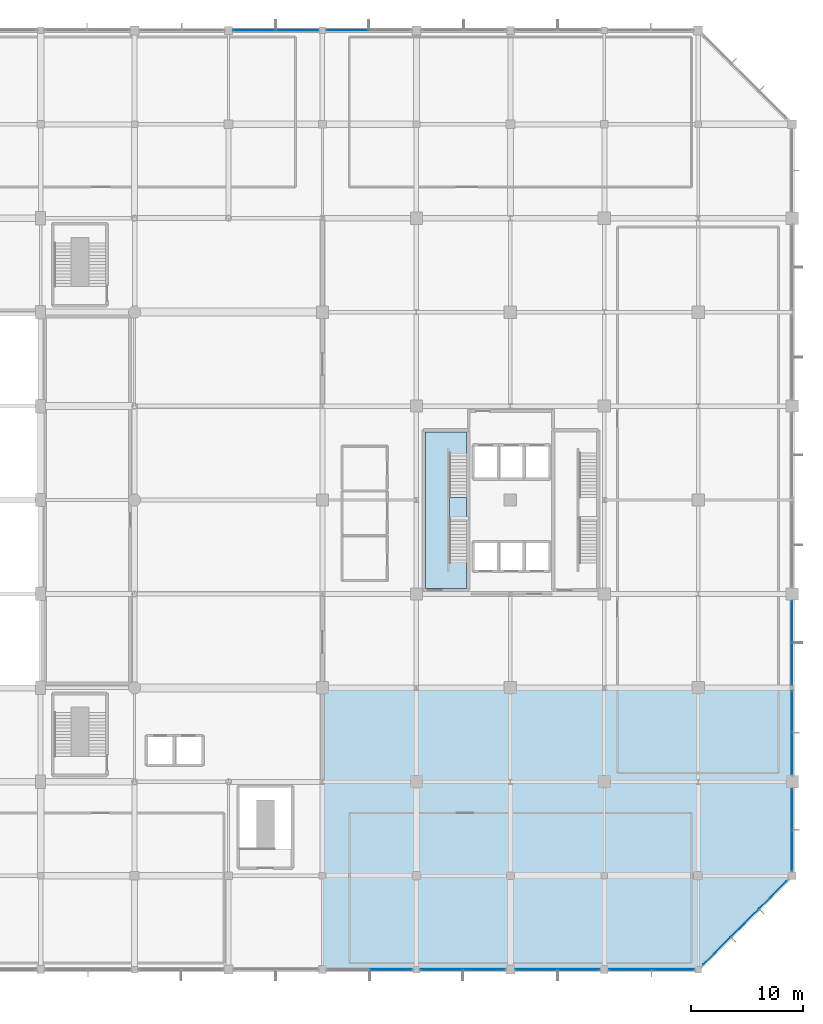
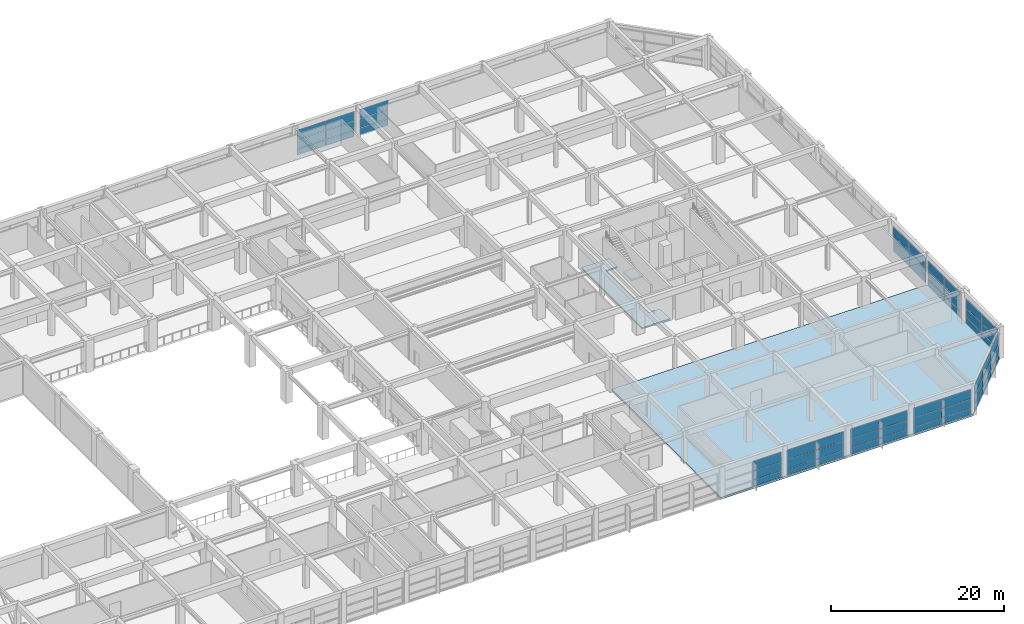
# One storey, part 39 of 56: 57 plates, 3 slabs, 11 elements without a shape of their own.
"""IFC4 building model written with IfcOpenShell, lengths in metres."""

import ifcopenshell
import ifcopenshell.guid

model = None  # the IFC model being written
_history = None  # IfcOwnerHistory: only IFC2X3 demands one
_inside = {}  # id of a spatial element -> (the spatial element, [elements in it])
_under = {}  # id of a project, library or spatial element -> (it, [spatial elements below it])
_declared = {}  # id of a project -> (the project, [libraries it declares])
_typed = {}  # id of a type object -> (the type object, [elements of that type])
_made_of = {}  # id of a material, layer set ... -> (it, [elements and type objects made of it])


def new_model(schema):
    """Start an empty IFC model of exactly this schema.

    Asked for "IFC4X3", IfcOpenShell would pick the latest addendum, in which some entities
    have other attributes; the version numbers below select the first issue.
    IFC2X3 requires an IfcOwnerHistory on every rooted entity: one is made here for all.
    """
    global model, _history
    if schema == "IFC4X3":
        model = ifcopenshell.file(schema_version=(4, 3, 0, 0))
    else:
        model = ifcopenshell.file(schema=schema)
    _inside.clear()
    _under.clear()
    _declared.clear()
    _typed.clear()
    _made_of.clear()
    _history = None
    if model.schema == "IFC2X3":
        org = make("IfcOrganization", Name="unknown")
        user = make(
            "IfcPersonAndOrganization",
            ThePerson=make("IfcPerson", FamilyName="unknown"),
            TheOrganization=org,
        )
        app = make(
            "IfcApplication",
            ApplicationDeveloper=org,
            Version="unknown",
            ApplicationFullName="unknown",
            ApplicationIdentifier="unknown",
        )
        _history = make(
            "IfcOwnerHistory",
            OwningUser=user,
            OwningApplication=app,
            ChangeAction="ADDED",
            CreationDate=0,
        )
    return model


def make(cls, **values):
    """One entity of the class cls with the attributes given. An attribute that is None is left unset."""
    return model.create_entity(
        cls, **{name: value for name, value in values.items() if value is not None}
    )


def rooted(cls, **values):
    """An entity with a GlobalId (a new one), such as an element, a storey or a relation."""
    return make(cls, GlobalId=ifcopenshell.guid.new(), OwnerHistory=_history, **values)


def si_unit(unit_type, name, prefix=None):
    """IfcSIUnit, for example si_unit("LENGTHUNIT", "METRE", prefix="MILLI")."""
    return make("IfcSIUnit", UnitType=unit_type, Prefix=prefix, Name=name)


def assignment(units):
    """IfcUnitAssignment: the units of a project."""
    return None if units is None else make("IfcUnitAssignment", Units=units)


def point(xyz):
    """IfcCartesianPoint."""
    return None if xyz is None else make("IfcCartesianPoint", Coordinates=xyz)


def direction(xyz):
    """IfcDirection."""
    return None if xyz is None else make("IfcDirection", DirectionRatios=xyz)


def frame(location, z_axis=None, x_axis=None):
    """IfcAxis2Placement3D, a coordinate frame: its origin and axes. An axis left out is left unset."""
    return make(
        "IfcAxis2Placement3D",
        Location=point(location),
        Axis=direction(z_axis),
        RefDirection=direction(x_axis),
    )


def frame_2d(location, x_axis=None):
    """IfcAxis2Placement2D, a coordinate frame in the plane: its origin and x axis."""
    return make(
        "IfcAxis2Placement2D", Location=point(location), RefDirection=direction(x_axis)
    )


def origin():
    """The frame at (0, 0, 0) with its axes left unset."""
    return frame((0.0, 0.0, 0.0))


def origin_2d():
    """The frame at (0, 0) in the plane with its x axis left unset."""
    return frame_2d((0.0, 0.0))


def place(relative_to, where):
    """IfcLocalPlacement: puts the frame where relative to a parent placement (None: the world)."""
    return make(
        "IfcLocalPlacement", PlacementRelTo=relative_to, RelativePlacement=where
    )


def context(
    kind, dimensions, precision=None, world=None, true_north=None, identifier=None
):
    """IfcGeometricRepresentationContext, for example the 3D "Model" context."""
    return make(
        "IfcGeometricRepresentationContext",
        ContextIdentifier=identifier,
        ContextType=kind,
        CoordinateSpaceDimension=dimensions,
        Precision=precision,
        WorldCoordinateSystem=world,
        TrueNorth=true_north,
    )


def subcontext(parent, identifier, kind, view, scale=None):
    """IfcGeometricRepresentationSubContext, for example "Body" below "Model"."""
    return make(
        "IfcGeometricRepresentationSubContext",
        ContextIdentifier=identifier,
        ContextType=kind,
        ParentContext=parent,
        TargetScale=scale,
        TargetView=view,
    )


def project(units=None, contexts=None):
    """IfcProject with its units and contexts."""
    return rooted(
        "IfcProject",
        Name="project",
        RepresentationContexts=contexts,
        UnitsInContext=assignment(units),
    )


def spatial(cls, under=None, at=None, **own):
    """A site, building, storey or space (cls), placed at a placement, below another one or the project."""
    s = rooted(cls, ObjectPlacement=at, **own)
    if under is not None:
        _under.setdefault(under.id(), (under, []))[1].append(s)
    return s


def polyline(points):
    """IfcPolyline through the points."""
    return make("IfcPolyline", Points=[point(p) for p in points])


def profile(cls, at=None, kind="AREA", **sizes):
    """A parametric profile (cls). Its sizes go by their IFC names, for example OverallWidth=200.0."""
    return make(cls, ProfileType=kind, Position=at, **sizes)


def rectangle(**sizes):
    """IfcRectangleProfileDef."""
    return profile("IfcRectangleProfileDef", **sizes)


def outline(outer, holes=None, kind="AREA"):
    """IfcArbitraryClosedProfileDef: a profile drawn as a closed curve; with holes, ...WithVoids."""
    if holes is None:
        return make("IfcArbitraryClosedProfileDef", ProfileType=kind, OuterCurve=outer)
    return make(
        "IfcArbitraryProfileDefWithVoids",
        ProfileType=kind,
        OuterCurve=outer,
        InnerCurves=holes,
    )


def extrude(swept, where, along, depth):
    """IfcExtrudedAreaSolid: the profile swept, set in the frame where, extruded along a direction by depth."""
    return make(
        "IfcExtrudedAreaSolid",
        SweptArea=swept,
        Position=where,
        ExtrudedDirection=direction(along),
        Depth=depth,
    )


def shape(context_of_items, identifier, shape_type, items):
    """IfcShapeRepresentation: the items that make up one representation, for example the "Body"."""
    return make(
        "IfcShapeRepresentation",
        ContextOfItems=context_of_items,
        RepresentationIdentifier=identifier,
        RepresentationType=shape_type,
        Items=items,
    )


def material(Name=None, Category=None):
    """IfcMaterial."""
    return make("IfcMaterial", Name=Name, Category=Category)


def layer(
    of_material, thickness, ventilated=None, Name=None, Category=None, Priority=None
):
    """IfcMaterialLayer: one layer of a wall or slab, of a material (None: an air gap)."""
    return make(
        "IfcMaterialLayer",
        Material=of_material,
        LayerThickness=thickness,
        IsVentilated=ventilated,
        Name=Name,
        Category=Category,
        Priority=Priority,
    )


def layer_set(layers, Name=None):
    """IfcMaterialLayerSet."""
    return make("IfcMaterialLayerSet", MaterialLayers=layers, LayerSetName=Name)


def made_of(thing, what):
    """Note that an element or type object is made of a material, layer set ...; save() writes the relation."""
    if what is not None:
        _made_of.setdefault(what.id(), (what, []))[1].append(thing)
    return thing


def type_object(cls, material=None, **own):
    """A type object (cls), such as IfcWallType, which elements share."""
    return made_of(rooted(cls, **own), material)


def element(
    cls,
    number,
    at=None,
    inside=None,
    cuts=None,
    type_object=None,
    material=None,
    context=None,
    identifier="Body",
    shape_type=None,
    held_by="IfcProductDefinitionShape",
    body=None,
    shapes=None,
    **own,
):
    """One element of the class cls, such as IfcWall. Its Tag is "e" and its number.

    at: its placement. inside: the storey or other place that contains it. cuts: it is an
    opening in that element (IfcRelVoidsElement). A single representation is given by context,
    identifier, shape_type and body (its items); several are given by shapes. held_by: the class
    of the entity that holds the representations. save() writes the other relations.
    """
    e = rooted(cls, Tag="e%d" % number, ObjectPlacement=at, **own)
    if body is not None:
        shapes = [shape(context, identifier, shape_type, body)]
    if shapes is not None:
        e.Representation = make(held_by, Representations=shapes)
    if inside is not None:
        _inside.setdefault(inside.id(), (inside, []))[1].append(e)
    if cuts is not None:
        rooted(
            "IfcRelVoidsElement", RelatingBuildingElement=cuts, RelatedOpeningElement=e
        )
    if type_object is not None:
        _typed.setdefault(type_object.id(), (type_object, []))[1].append(e)
    return made_of(e, material)


def aggregate(whole, parts):
    """IfcRelAggregates: a whole, such as a stair, and the parts it consists of."""
    return rooted("IfcRelAggregates", RelatingObject=whole, RelatedObjects=parts)


def save(model, path):
    """Write the relations noted so far, then the file.

    IfcRelAggregates (storeys below a building ...), IfcRelContainedInSpatialStructure (elements
    in a storey), IfcRelDefinesByType, IfcRelAssociatesMaterial and IfcRelDeclares: one each for
    every whole, place, type object, material and project.
    """
    for whole, parts in _under.values():
        aggregate(whole, parts)
    for where, things in _inside.values():
        rooted(
            "IfcRelContainedInSpatialStructure",
            RelatedElements=things,
            RelatingStructure=where,
        )
    for kind, things in _typed.values():
        rooted("IfcRelDefinesByType", RelatedObjects=things, RelatingType=kind)
    for what, things in _made_of.values():
        rooted("IfcRelAssociatesMaterial", RelatedObjects=things, RelatingMaterial=what)
    for by, libraries in _declared.values():
        rooted("IfcRelDeclares", RelatingContext=by, RelatedDefinitions=libraries)
    model.write(path)


model = new_model("IFC4")

# Units and contexts
model_context = context("Model", 3, precision=1e-05, world=origin(), true_north=direction((0.0, 1.0)))
body_context = subcontext(model_context, "Body", "Model", "MODEL_VIEW")
ifc_project = project(units=[si_unit("LENGTHUNIT", "METRE"), si_unit("AREAUNIT", "SQUARE_METRE"), si_unit("VOLUMEUNIT", "CUBIC_METRE"), si_unit("PLANEANGLEUNIT", "RADIAN"), si_unit("MASSUNIT", "GRAM", prefix="KILO")], contexts=[model_context])

# Site, building, storey
site_placement = place(None, origin())
site = spatial("IfcSite", under=ifc_project, at=site_placement, CompositionType="ELEMENT")
building_placement = place(site_placement, origin())
building = spatial("IfcBuilding", under=site, at=building_placement, Name="Xuanlan Plaza Opera House", CompositionType="ELEMENT")
storey_placement = place(building_placement, frame((0.0, 0.0, 18.89990234375)))
storey = spatial("IfcBuildingStorey", under=building, at=storey_placement, Name="L04", CompositionType="ELEMENT", Elevation=18.89990234375)

# Curtain wall, plates
ifc_material_1 = material(Name="Anodised Aluminium 6063-T6 and Low-E Glass", Category="aluminium")
curtain_wall_type_1 = type_object("IfcCurtainWallType", Name="ENV-CW-CW-01", PredefinedType="USERDEFINED", material=ifc_material_1)
curtain_wall_1_placement = place(storey_placement, origin())
curtain_wall_1 = element("IfcCurtainWall", 1, at=curtain_wall_1_placement, inside=storey, type_object=curtain_wall_type_1, Name="Unitised Curtain Wall L04-015", ObjectType="UNITISED CURTAIN WALL", PredefinedType="USERDEFINED")
ifc_material_2 = material(Name="Laminated Acoustic Double Glazing", Category="glass")
ifc_layer_1 = layer(ifc_material_2, 0.028076171875)
ifc_layer_set_1 = layer_set([ifc_layer_1], Name="Laminated Acoustic Double Glazing")
plate_type_1 = type_object("IfcPlateType", Name="ENV-CWP-01", PredefinedType="CURTAIN_PANEL", material=ifc_layer_set_1)
plate_1_placement = place(storey_placement, frame((145.138671875, 16.800048828125, 0.065185546875), z_axis=(0.0, 0.0, 1.0), x_axis=(1.0, 0.0, 0.0)))
plate_1 = element("IfcPlate", 2, at=plate_1_placement, type_object=plate_type_1, Name="CW-01 panel 1.1", PredefinedType="CURTAIN_PANEL", context=body_context, shape_type="SweptSolid", body=[
    extrude(rectangle(XDim=3.70751953125, YDim=0.028076171875, at=origin_2d()), origin(), (0.0, 0.0, 1.0), 0.8525390625),
])
plate_2_placement = place(storey_placement, frame((145.138671875, 16.800048828125, 0.982421875), z_axis=(0.0, 0.0, 1.0), x_axis=(1.0, 0.0, 0.0)))
plate_2 = element("IfcPlate", 3, at=plate_2_placement, type_object=plate_type_1, Name="CW-01 panel 1.2", PredefinedType="CURTAIN_PANEL", context=body_context, shape_type="SweptSolid", body=[
    extrude(rectangle(XDim=3.70751953125, YDim=0.028076171875, at=origin_2d()), origin(), (0.0, 0.0, 1.0), 1.235107421875),
])
plate_3_placement = place(storey_placement, frame((145.138671875, 16.800048828125, 2.282470703125), z_axis=(0.0, 0.0, 1.0), x_axis=(1.0, 0.0, 0.0)))
plate_3 = element("IfcPlate", 4, at=plate_3_placement, type_object=plate_type_1, Name="CW-01 panel 1.3", PredefinedType="CURTAIN_PANEL", context=body_context, shape_type="SweptSolid", body=[
    extrude(rectangle(XDim=3.70751953125, YDim=0.028076171875, at=origin_2d()), origin(), (0.0, 0.0, 1.0), 1.33251953125),
])
plate_4_placement = place(storey_placement, frame((148.9111328125, 16.800048828125, 0.065185546875), z_axis=(0.0, 0.0, 1.0), x_axis=(1.0, 0.0, 0.0)))
plate_4 = element("IfcPlate", 5, at=plate_4_placement, type_object=plate_type_1, Name="CW-01 panel 2.1", PredefinedType="CURTAIN_PANEL", context=body_context, shape_type="SweptSolid", body=[
    extrude(rectangle(XDim=3.70751953125, YDim=0.028076171875, at=origin_2d()), origin(), (0.0, 0.0, 1.0), 0.8525390625),
])
plate_5_placement = place(storey_placement, frame((148.9111328125, 16.800048828125, 0.982421875), z_axis=(0.0, 0.0, 1.0), x_axis=(1.0, 0.0, 0.0)))
plate_5 = element("IfcPlate", 6, at=plate_5_placement, type_object=plate_type_1, Name="CW-01 panel 2.2", PredefinedType="CURTAIN_PANEL", context=body_context, shape_type="SweptSolid", body=[
    extrude(rectangle(XDim=3.70751953125, YDim=0.028076171875, at=origin_2d()), origin(), (0.0, 0.0, 1.0), 1.235107421875),
])
plate_6_placement = place(storey_placement, frame((148.9111328125, 16.800048828125, 2.282470703125), z_axis=(0.0, 0.0, 1.0), x_axis=(1.0, 0.0, 0.0)))
plate_6 = element("IfcPlate", 7, at=plate_6_placement, type_object=plate_type_1, Name="CW-01 panel 2.3", PredefinedType="CURTAIN_PANEL", context=body_context, shape_type="SweptSolid", body=[
    extrude(rectangle(XDim=3.70751953125, YDim=0.028076171875, at=origin_2d()), origin(), (0.0, 0.0, 1.0), 1.33251953125),
])
aggregate(curtain_wall_1, [plate_1, plate_2, plate_3, plate_4, plate_5, plate_6])

curtain_wall_type_2 = type_object("IfcCurtainWallType", Name="ENV-CW-CW-02", PredefinedType="USERDEFINED", material=ifc_material_1)
curtain_wall_2_placement = place(storey_placement, origin())
curtain_wall_2 = element("IfcCurtainWall", 8, at=curtain_wall_2_placement, inside=storey, type_object=curtain_wall_type_2, Name="Unitised Curtain Wall L04-020", ObjectType="UNITISED CURTAIN WALL", PredefinedType="USERDEFINED")
plate_7_placement = place(storey_placement, frame((168.0, 44.138671875, 0.065185546875), z_axis=(0.0, 0.0, 1.0), x_axis=(0.0, 1.0, 0.0)))
plate_7 = element("IfcPlate", 9, at=plate_7_placement, type_object=plate_type_1, Name="CW-02 panel 1.1", PredefinedType="CURTAIN_PANEL", context=body_context, shape_type="SweptSolid", body=[
    extrude(rectangle(XDim=3.70751953125, YDim=0.028076171875, at=origin_2d()), origin(), (0.0, 0.0, 1.0), 0.8525390625),
])
plate_8_placement = place(storey_placement, frame((168.0, 44.138671875, 0.982421875), z_axis=(0.0, 0.0, 1.0), x_axis=(0.0, 1.0, 0.0)))
plate_8 = element("IfcPlate", 10, at=plate_8_placement, type_object=plate_type_1, Name="CW-02 panel 1.2", PredefinedType="CURTAIN_PANEL", context=body_context, shape_type="SweptSolid", body=[
    extrude(rectangle(XDim=3.70751953125, YDim=0.028076171875, at=origin_2d()), origin(), (0.0, 0.0, 1.0), 1.235107421875),
])
plate_9_placement = place(storey_placement, frame((168.0, 44.138671875, 2.282470703125), z_axis=(0.0, 0.0, 1.0), x_axis=(0.0, 1.0, 0.0)))
plate_9 = element("IfcPlate", 11, at=plate_9_placement, type_object=plate_type_1, Name="CW-02 panel 1.3", PredefinedType="CURTAIN_PANEL", context=body_context, shape_type="SweptSolid", body=[
    extrude(rectangle(XDim=3.70751953125, YDim=0.028076171875, at=origin_2d()), origin(), (0.0, 0.0, 1.0), 1.33251953125),
])
plate_10_placement = place(storey_placement, frame((168.0, 47.9111328125, 0.065185546875), z_axis=(0.0, 0.0, 1.0), x_axis=(0.0, 1.0, 0.0)))
plate_10 = element("IfcPlate", 12, at=plate_10_placement, type_object=plate_type_1, Name="CW-02 panel 2.1", PredefinedType="CURTAIN_PANEL", context=body_context, shape_type="SweptSolid", body=[
    extrude(rectangle(XDim=3.70751953125, YDim=0.028076171875, at=origin_2d()), origin(), (0.0, 0.0, 1.0), 0.8525390625),
])
plate_11_placement = place(storey_placement, frame((168.0, 47.9111328125, 0.982421875), z_axis=(0.0, 0.0, 1.0), x_axis=(0.0, 1.0, 0.0)))
plate_11 = element("IfcPlate", 13, at=plate_11_placement, type_object=plate_type_1, Name="CW-02 panel 2.2", PredefinedType="CURTAIN_PANEL", context=body_context, shape_type="SweptSolid", body=[
    extrude(rectangle(XDim=3.70751953125, YDim=0.028076171875, at=origin_2d()), origin(), (0.0, 0.0, 1.0), 1.235107421875),
])
plate_12_placement = place(storey_placement, frame((168.0, 47.9111328125, 2.282470703125), z_axis=(0.0, 0.0, 1.0), x_axis=(0.0, 1.0, 0.0)))
plate_12 = element("IfcPlate", 14, at=plate_12_placement, type_object=plate_type_1, Name="CW-02 panel 2.3", PredefinedType="CURTAIN_PANEL", context=body_context, shape_type="SweptSolid", body=[
    extrude(rectangle(XDim=3.70751953125, YDim=0.028076171875, at=origin_2d()), origin(), (0.0, 0.0, 1.0), 1.33251953125),
])
aggregate(curtain_wall_2, [plate_7, plate_8, plate_9, plate_10, plate_11, plate_12])

curtain_wall_type_3 = type_object("IfcCurtainWallType", Name="ENV-CW-CW-05", PredefinedType="USERDEFINED", material=ifc_material_1)
curtain_wall_3_placement = place(storey_placement, origin())
curtain_wall_3 = element("IfcCurtainWall", 15, at=curtain_wall_3_placement, inside=storey, type_object=curtain_wall_type_3, Name="Acoustic Glazed Wall L04-030", ObjectType="ACOUSTIC GLAZED WALL", PredefinedType="USERDEFINED")
plate_13_placement = place(storey_placement, frame((128.251220703125, 100.800048828125, 0.065185546875), z_axis=(0.0, 0.0, 1.0), x_axis=(-1.0, 0.0, 0.0)))
plate_13 = element("IfcPlate", 16, at=plate_13_placement, type_object=plate_type_1, Name="CW-05 panel 2.1", PredefinedType="CURTAIN_PANEL", context=body_context, shape_type="SweptSolid", body=[
    extrude(rectangle(XDim=3.732421875, YDim=0.028076171875, at=origin_2d()), origin(), (0.0, 0.0, 1.0), 0.8525390625),
])
plate_14_placement = place(storey_placement, frame((128.251220703125, 100.800048828125, 0.982421875), z_axis=(0.0, 0.0, 1.0), x_axis=(-1.0, 0.0, 0.0)))
plate_14 = element("IfcPlate", 17, at=plate_14_placement, type_object=plate_type_1, Name="CW-05 panel 2.2", PredefinedType="CURTAIN_PANEL", context=body_context, shape_type="SweptSolid", body=[
    extrude(rectangle(XDim=3.732421875, YDim=0.028076171875, at=origin_2d()), origin(), (0.0, 0.0, 1.0), 1.235107421875),
])
plate_15_placement = place(storey_placement, frame((128.251220703125, 100.800048828125, 2.282470703125), z_axis=(0.0, 0.0, 1.0), x_axis=(-1.0, 0.0, 0.0)))
plate_15 = element("IfcPlate", 18, at=plate_15_placement, type_object=plate_type_1, Name="CW-05 panel 2.3", PredefinedType="CURTAIN_PANEL", context=body_context, shape_type="SweptSolid", body=[
    extrude(rectangle(XDim=3.732421875, YDim=0.028076171875, at=origin_2d()), origin(), (0.0, 0.0, 1.0), 1.33251953125),
])
aggregate(curtain_wall_3, [plate_13, plate_14, plate_15])

curtain_wall_type_4 = type_object("IfcCurtainWallType", Name="ENV-CW-CW-03", PredefinedType="USERDEFINED", material=ifc_material_1)
curtain_wall_4_placement = place(storey_placement, origin())
curtain_wall_4 = element("IfcCurtainWall", 19, at=curtain_wall_4_placement, inside=storey, type_object=curtain_wall_type_4, Name="Unitised Curtain Wall L04-017", ObjectType="UNITISED CURTAIN WALL", PredefinedType="USERDEFINED")
ifc_layer_2 = layer(ifc_material_2, 0.031982421875)
ifc_layer_set_2 = layer_set([ifc_layer_2], Name="Laminated Acoustic Double Glazing")
plate_type_2 = type_object("IfcPlateType", Name="ENV-CWP-02", PredefinedType="CURTAIN_PANEL", material=ifc_layer_set_2)
plate_16_placement = place(storey_placement, frame((161.27099609375, 18.470947265625, 0.090087890625), z_axis=(0.0, 0.0, 1.0), x_axis=(0.707106781187, 0.707106781187, 0.0)))
plate_16 = element("IfcPlate", 20, at=plate_16_placement, type_object=plate_type_2, Name="CW-03 panel 1.1", PredefinedType="CURTAIN_PANEL", context=body_context, shape_type="SweptSolid", body=[
    extrude(rectangle(XDim=3.447509765625, YDim=0.031982421875, at=origin_2d()), origin(), (0.0, 0.0, 1.0), 0.81494140625),
])
plate_17_placement = place(storey_placement, frame((161.27099609375, 18.470947265625, 0.9951171875), z_axis=(0.0, 0.0, 1.0), x_axis=(0.707106781187, 0.707106781187, 0.0)))
plate_17 = element("IfcPlate", 21, at=plate_17_placement, type_object=plate_type_2, Name="CW-03 panel 1.2", PredefinedType="CURTAIN_PANEL", context=body_context, shape_type="SweptSolid", body=[
    extrude(rectangle(XDim=3.447509765625, YDim=0.031982421875, at=origin_2d()), origin(), (0.0, 0.0, 1.0), 1.2099609375),
])
plate_18_placement = place(storey_placement, frame((161.27099609375, 18.470947265625, 2.295166015625), z_axis=(0.0, 0.0, 1.0), x_axis=(0.707106781187, 0.707106781187, 0.0)))
plate_18 = element("IfcPlate", 22, at=plate_18_placement, type_object=plate_type_2, Name="CW-03 panel 1.3", PredefinedType="CURTAIN_PANEL", context=body_context, shape_type="SweptSolid", body=[
    extrude(rectangle(XDim=3.447509765625, YDim=0.031982421875, at=origin_2d()), origin(), (0.0, 0.0, 1.0), 1.294921875),
])
plate_19_placement = place(storey_placement, frame((163.77490234375, 20.97509765625, 0.090087890625), z_axis=(0.0, 0.0, 1.0), x_axis=(0.707106781187, 0.707106781187, 0.0)))
plate_19 = element("IfcPlate", 23, at=plate_19_placement, type_object=plate_type_2, Name="CW-03 panel 2.1", PredefinedType="CURTAIN_PANEL", context=body_context, shape_type="SweptSolid", body=[
    extrude(rectangle(XDim=3.485107421875, YDim=0.031982421875, at=origin_2d()), origin(), (0.0, 0.0, 1.0), 0.81494140625),
])
plate_20_placement = place(storey_placement, frame((163.77490234375, 20.97509765625, 0.9951171875), z_axis=(0.0, 0.0, 1.0), x_axis=(0.707106781187, 0.707106781187, 0.0)))
plate_20 = element("IfcPlate", 24, at=plate_20_placement, type_object=plate_type_2, Name="CW-03 panel 2.2", PredefinedType="CURTAIN_PANEL", context=body_context, shape_type="SweptSolid", body=[
    extrude(rectangle(XDim=3.485107421875, YDim=0.031982421875, at=origin_2d()), origin(), (0.0, 0.0, 1.0), 1.2099609375),
])
plate_21_placement = place(storey_placement, frame((163.77490234375, 20.97509765625, 2.295166015625), z_axis=(0.0, 0.0, 1.0), x_axis=(0.707106781187, 0.707106781187, 0.0)))
plate_21 = element("IfcPlate", 25, at=plate_21_placement, type_object=plate_type_2, Name="CW-03 panel 2.3", PredefinedType="CURTAIN_PANEL", context=body_context, shape_type="SweptSolid", body=[
    extrude(rectangle(XDim=3.485107421875, YDim=0.031982421875, at=origin_2d()), origin(), (0.0, 0.0, 1.0), 1.294921875),
])
plate_22_placement = place(storey_placement, frame((166.279052734375, 23.47900390625, 0.090087890625), z_axis=(0.0, 0.0, 1.0), x_axis=(0.707106781187, 0.707106781187, 0.0)))
plate_22 = element("IfcPlate", 26, at=plate_22_placement, type_object=plate_type_2, Name="CW-03 panel 3.1", PredefinedType="CURTAIN_PANEL", context=body_context, shape_type="SweptSolid", body=[
    extrude(rectangle(XDim=3.447509765625, YDim=0.031982421875, at=origin_2d()), origin(), (0.0, 0.0, 1.0), 0.81494140625),
])
plate_23_placement = place(storey_placement, frame((166.279052734375, 23.47900390625, 0.9951171875), z_axis=(0.0, 0.0, 1.0), x_axis=(0.707106781187, 0.707106781187, 0.0)))
plate_23 = element("IfcPlate", 27, at=plate_23_placement, type_object=plate_type_2, Name="CW-03 panel 3.2", PredefinedType="CURTAIN_PANEL", context=body_context, shape_type="SweptSolid", body=[
    extrude(rectangle(XDim=3.447509765625, YDim=0.031982421875, at=origin_2d()), origin(), (0.0, 0.0, 1.0), 1.2099609375),
])
plate_24_placement = place(storey_placement, frame((166.279052734375, 23.47900390625, 2.295166015625), z_axis=(0.0, 0.0, 1.0), x_axis=(0.707106781187, 0.707106781187, 0.0)))
plate_24 = element("IfcPlate", 28, at=plate_24_placement, type_object=plate_type_2, Name="CW-03 panel 3.3", PredefinedType="CURTAIN_PANEL", context=body_context, shape_type="SweptSolid", body=[
    extrude(rectangle(XDim=3.447509765625, YDim=0.031982421875, at=origin_2d()), origin(), (0.0, 0.0, 1.0), 1.294921875),
])
aggregate(curtain_wall_4, [plate_16, plate_17, plate_18, plate_19, plate_20, plate_21, plate_22, plate_23, plate_24])

curtain_wall_type_5 = type_object("IfcCurtainWallType", Name="ENV-CW-CW-04", PredefinedType="USERDEFINED", material=ifc_material_1)
curtain_wall_5_placement = place(storey_placement, origin())
curtain_wall_5 = element("IfcCurtainWall", 29, at=curtain_wall_5_placement, inside=storey, type_object=curtain_wall_type_5, Name="Unitised Curtain Wall L04-014", ObjectType="UNITISED CURTAIN WALL", PredefinedType="USERDEFINED")
ifc_layer_3 = layer(ifc_material_2, 0.035888671875)
ifc_layer_set_3 = layer_set([ifc_layer_3], Name="Laminated Acoustic Double Glazing")
plate_type_3 = type_object("IfcPlateType", Name="ENV-CWP-03", PredefinedType="CURTAIN_PANEL", material=ifc_layer_set_3)
plate_25_placement = place(storey_placement, frame((136.657470703125, 16.800048828125, 0.080078125), z_axis=(0.0, 0.0, 1.0), x_axis=(1.0, 0.0, 0.0)))
plate_25 = element("IfcPlate", 30, at=plate_25_placement, type_object=plate_type_3, Name="CW-04 panel 1.1", PredefinedType="CURTAIN_PANEL", context=body_context, shape_type="SweptSolid", body=[
    extrude(rectangle(XDim=3.695068359375, YDim=0.035888671875, at=origin_2d()), origin(), (0.0, 0.0, 1.0), 0.830078125),
])
plate_26_placement = place(storey_placement, frame((136.657470703125, 16.800048828125, 0.990234375), z_axis=(0.0, 0.0, 1.0), x_axis=(1.0, 0.0, 0.0)))
plate_26 = element("IfcPlate", 31, at=plate_26_placement, type_object=plate_type_3, Name="CW-04 panel 1.2", PredefinedType="CURTAIN_PANEL", context=body_context, shape_type="SweptSolid", body=[
    extrude(rectangle(XDim=3.695068359375, YDim=0.035888671875, at=origin_2d()), origin(), (0.0, 0.0, 1.0), 1.219970703125),
])
plate_27_placement = place(storey_placement, frame((136.657470703125, 16.800048828125, 2.2900390625), z_axis=(0.0, 0.0, 1.0), x_axis=(1.0, 0.0, 0.0)))
plate_27 = element("IfcPlate", 32, at=plate_27_placement, type_object=plate_type_3, Name="CW-04 panel 1.3", PredefinedType="CURTAIN_PANEL", context=body_context, shape_type="SweptSolid", body=[
    extrude(rectangle(XDim=3.695068359375, YDim=0.035888671875, at=origin_2d()), origin(), (0.0, 0.0, 1.0), 1.31005859375),
])
plate_28_placement = place(storey_placement, frame((140.4423828125, 16.800048828125, 0.080078125), z_axis=(0.0, 0.0, 1.0), x_axis=(1.0, 0.0, 0.0)))
plate_28 = element("IfcPlate", 33, at=plate_28_placement, type_object=plate_type_3, Name="CW-04 panel 2.1", PredefinedType="CURTAIN_PANEL", context=body_context, shape_type="SweptSolid", body=[
    extrude(rectangle(XDim=3.695068359375, YDim=0.035888671875, at=origin_2d()), origin(), (0.0, 0.0, 1.0), 0.830078125),
])
plate_29_placement = place(storey_placement, frame((140.4423828125, 16.800048828125, 0.990234375), z_axis=(0.0, 0.0, 1.0), x_axis=(1.0, 0.0, 0.0)))
plate_29 = element("IfcPlate", 34, at=plate_29_placement, type_object=plate_type_3, Name="CW-04 panel 2.2", PredefinedType="CURTAIN_PANEL", context=body_context, shape_type="SweptSolid", body=[
    extrude(rectangle(XDim=3.695068359375, YDim=0.035888671875, at=origin_2d()), origin(), (0.0, 0.0, 1.0), 1.219970703125),
])
plate_30_placement = place(storey_placement, frame((140.4423828125, 16.800048828125, 2.2900390625), z_axis=(0.0, 0.0, 1.0), x_axis=(1.0, 0.0, 0.0)))
plate_30 = element("IfcPlate", 35, at=plate_30_placement, type_object=plate_type_3, Name="CW-04 panel 2.3", PredefinedType="CURTAIN_PANEL", context=body_context, shape_type="SweptSolid", body=[
    extrude(rectangle(XDim=3.695068359375, YDim=0.035888671875, at=origin_2d()), origin(), (0.0, 0.0, 1.0), 1.31005859375),
])
aggregate(curtain_wall_5, [plate_25, plate_26, plate_27, plate_28, plate_29, plate_30])

curtain_wall_6_placement = place(storey_placement, origin())
curtain_wall_6 = element("IfcCurtainWall", 36, at=curtain_wall_6_placement, inside=storey, type_object=curtain_wall_type_1, Name="Unitised Curtain Wall L04-019", ObjectType="UNITISED CURTAIN WALL", PredefinedType="USERDEFINED")
plate_31_placement = place(storey_placement, frame((168.0, 36.094970703125, 0.080078125), z_axis=(0.0, 0.0, 1.0), x_axis=(0.0, 1.0, 0.0)))
plate_31 = element("IfcPlate", 37, at=plate_31_placement, type_object=plate_type_3, Name="CW-01 panel 1.1", PredefinedType="CURTAIN_PANEL", context=body_context, shape_type="SweptSolid", body=[
    extrude(rectangle(XDim=3.669921875, YDim=0.035888671875, at=origin_2d()), origin(), (0.0, 0.0, 1.0), 0.830078125),
])
plate_32_placement = place(storey_placement, frame((168.0, 36.094970703125, 0.990234375), z_axis=(0.0, 0.0, 1.0), x_axis=(0.0, 1.0, 0.0)))
plate_32 = element("IfcPlate", 38, at=plate_32_placement, type_object=plate_type_3, Name="CW-01 panel 1.2", PredefinedType="CURTAIN_PANEL", context=body_context, shape_type="SweptSolid", body=[
    extrude(rectangle(XDim=3.669921875, YDim=0.035888671875, at=origin_2d()), origin(), (0.0, 0.0, 1.0), 1.219970703125),
])
plate_33_placement = place(storey_placement, frame((168.0, 36.094970703125, 2.2900390625), z_axis=(0.0, 0.0, 1.0), x_axis=(0.0, 1.0, 0.0)))
plate_33 = element("IfcPlate", 39, at=plate_33_placement, type_object=plate_type_3, Name="CW-01 panel 1.3", PredefinedType="CURTAIN_PANEL", context=body_context, shape_type="SweptSolid", body=[
    extrude(rectangle(XDim=3.669921875, YDim=0.035888671875, at=origin_2d()), origin(), (0.0, 0.0, 1.0), 1.31005859375),
])
plate_34_placement = place(storey_placement, frame((168.0, 39.85498046875, 0.080078125), z_axis=(0.0, 0.0, 1.0), x_axis=(0.0, 1.0, 0.0)))
plate_34 = element("IfcPlate", 40, at=plate_34_placement, type_object=plate_type_3, Name="CW-01 panel 2.1", PredefinedType="CURTAIN_PANEL", context=body_context, shape_type="SweptSolid", body=[
    extrude(rectangle(XDim=3.669921875, YDim=0.035888671875, at=origin_2d()), origin(), (0.0, 0.0, 1.0), 0.830078125),
])
plate_35_placement = place(storey_placement, frame((168.0, 39.85498046875, 0.990234375), z_axis=(0.0, 0.0, 1.0), x_axis=(0.0, 1.0, 0.0)))
plate_35 = element("IfcPlate", 41, at=plate_35_placement, type_object=plate_type_3, Name="CW-01 panel 2.2", PredefinedType="CURTAIN_PANEL", context=body_context, shape_type="SweptSolid", body=[
    extrude(rectangle(XDim=3.669921875, YDim=0.035888671875, at=origin_2d()), origin(), (0.0, 0.0, 1.0), 1.219970703125),
])
plate_36_placement = place(storey_placement, frame((168.0, 39.85498046875, 2.2900390625), z_axis=(0.0, 0.0, 1.0), x_axis=(0.0, 1.0, 0.0)))
plate_36 = element("IfcPlate", 42, at=plate_36_placement, type_object=plate_type_3, Name="CW-01 panel 2.3", PredefinedType="CURTAIN_PANEL", context=body_context, shape_type="SweptSolid", body=[
    extrude(rectangle(XDim=3.669921875, YDim=0.035888671875, at=origin_2d()), origin(), (0.0, 0.0, 1.0), 1.31005859375),
])
aggregate(curtain_wall_6, [plate_31, plate_32, plate_33, plate_34, plate_35, plate_36])

curtain_wall_7_placement = place(storey_placement, origin())
curtain_wall_7 = element("IfcCurtainWall", 43, at=curtain_wall_7_placement, inside=storey, type_object=curtain_wall_type_2, Name="Unitised Curtain Wall L04-016", ObjectType="UNITISED CURTAIN WALL", PredefinedType="USERDEFINED")
ifc_layer_4 = layer(ifc_material_2, 0.0400390625)
ifc_layer_set_4 = layer_set([ifc_layer_4], Name="Laminated Acoustic Double Glazing")
plate_type_4 = type_object("IfcPlateType", Name="ENV-CWP-04", PredefinedType="CURTAIN_PANEL", material=ifc_layer_set_4)
plate_37_placement = place(storey_placement, frame((153.514892578125, 16.800048828125, 0.0751953125), z_axis=(0.0, 0.0, 1.0), x_axis=(1.0, 0.0, 0.0)))
plate_37 = element("IfcPlate", 44, at=plate_37_placement, type_object=plate_type_4, Name="CW-02 panel 1.1", PredefinedType="CURTAIN_PANEL", context=body_context, shape_type="SweptSolid", body=[
    extrude(rectangle(XDim=3.75, YDim=0.0400390625, at=origin_2d()), origin(), (0.0, 0.0, 1.0), 0.83740234375),
])
plate_38_placement = place(storey_placement, frame((153.514892578125, 16.800048828125, 0.987548828125), z_axis=(0.0, 0.0, 1.0), x_axis=(1.0, 0.0, 0.0)))
plate_38 = element("IfcPlate", 45, at=plate_38_placement, type_object=plate_type_4, Name="CW-02 panel 1.2", PredefinedType="CURTAIN_PANEL", context=body_context, shape_type="SweptSolid", body=[
    extrude(rectangle(XDim=3.75, YDim=0.0400390625, at=origin_2d()), origin(), (0.0, 0.0, 1.0), 1.22509765625),
])
plate_39_placement = place(storey_placement, frame((153.514892578125, 16.800048828125, 2.28759765625), z_axis=(0.0, 0.0, 1.0), x_axis=(1.0, 0.0, 0.0)))
plate_39 = element("IfcPlate", 46, at=plate_39_placement, type_object=plate_type_4, Name="CW-02 panel 1.3", PredefinedType="CURTAIN_PANEL", context=body_context, shape_type="SweptSolid", body=[
    extrude(rectangle(XDim=3.75, YDim=0.0400390625, at=origin_2d()), origin(), (0.0, 0.0, 1.0), 1.3173828125),
])
plate_40_placement = place(storey_placement, frame((157.3349609375, 16.800048828125, 0.0751953125), z_axis=(0.0, 0.0, 1.0), x_axis=(1.0, 0.0, 0.0)))
plate_40 = element("IfcPlate", 47, at=plate_40_placement, type_object=plate_type_4, Name="CW-02 panel 2.1", PredefinedType="CURTAIN_PANEL", context=body_context, shape_type="SweptSolid", body=[
    extrude(rectangle(XDim=3.75, YDim=0.0400390625, at=origin_2d()), origin(), (0.0, 0.0, 1.0), 0.83740234375),
])
plate_41_placement = place(storey_placement, frame((157.3349609375, 16.800048828125, 0.987548828125), z_axis=(0.0, 0.0, 1.0), x_axis=(1.0, 0.0, 0.0)))
plate_41 = element("IfcPlate", 48, at=plate_41_placement, type_object=plate_type_4, Name="CW-02 panel 2.2", PredefinedType="CURTAIN_PANEL", context=body_context, shape_type="SweptSolid", body=[
    extrude(rectangle(XDim=3.75, YDim=0.0400390625, at=origin_2d()), origin(), (0.0, 0.0, 1.0), 1.22509765625),
])
plate_42_placement = place(storey_placement, frame((157.3349609375, 16.800048828125, 2.28759765625), z_axis=(0.0, 0.0, 1.0), x_axis=(1.0, 0.0, 0.0)))
plate_42 = element("IfcPlate", 49, at=plate_42_placement, type_object=plate_type_4, Name="CW-02 panel 2.3", PredefinedType="CURTAIN_PANEL", context=body_context, shape_type="SweptSolid", body=[
    extrude(rectangle(XDim=3.75, YDim=0.0400390625, at=origin_2d()), origin(), (0.0, 0.0, 1.0), 1.3173828125),
])
aggregate(curtain_wall_7, [plate_37, plate_38, plate_39, plate_40, plate_41, plate_42])

curtain_wall_type_6 = type_object("IfcCurtainWallType", Name="ENV-CW-CW-06", PredefinedType="USERDEFINED", material=ifc_material_1)
curtain_wall_8_placement = place(storey_placement, origin())
curtain_wall_8 = element("IfcCurtainWall", 50, at=curtain_wall_8_placement, inside=storey, type_object=curtain_wall_type_6, Name="Acoustic Glazed Wall L04-031", ObjectType="ACOUSTIC GLAZED WALL", PredefinedType="USERDEFINED")
plate_43_placement = place(storey_placement, frame((123.735107421875, 100.800048828125, 0.0751953125), z_axis=(0.0, 0.0, 1.0), x_axis=(-1.0, 0.0, 0.0)))
plate_43 = element("IfcPlate", 51, at=plate_43_placement, type_object=plate_type_4, Name="CW-06 panel 1.1", PredefinedType="CURTAIN_PANEL", context=body_context, shape_type="SweptSolid", body=[
    extrude(rectangle(XDim=3.75, YDim=0.0400390625, at=origin_2d()), origin(), (0.0, 0.0, 1.0), 0.83740234375),
])
plate_44_placement = place(storey_placement, frame((123.735107421875, 100.800048828125, 0.987548828125), z_axis=(0.0, 0.0, 1.0), x_axis=(-1.0, 0.0, 0.0)))
plate_44 = element("IfcPlate", 52, at=plate_44_placement, type_object=plate_type_4, Name="CW-06 panel 1.2", PredefinedType="CURTAIN_PANEL", context=body_context, shape_type="SweptSolid", body=[
    extrude(rectangle(XDim=3.75, YDim=0.0400390625, at=origin_2d()), origin(), (0.0, 0.0, 1.0), 1.22509765625),
])
plate_45_placement = place(storey_placement, frame((123.735107421875, 100.800048828125, 2.28759765625), z_axis=(0.0, 0.0, 1.0), x_axis=(-1.0, 0.0, 0.0)))
plate_45 = element("IfcPlate", 53, at=plate_45_placement, type_object=plate_type_4, Name="CW-06 panel 1.3", PredefinedType="CURTAIN_PANEL", context=body_context, shape_type="SweptSolid", body=[
    extrude(rectangle(XDim=3.75, YDim=0.0400390625, at=origin_2d()), origin(), (0.0, 0.0, 1.0), 1.3173828125),
])
plate_46_placement = place(storey_placement, frame((119.9150390625, 100.800048828125, 0.0751953125), z_axis=(0.0, 0.0, 1.0), x_axis=(-1.0, 0.0, 0.0)))
plate_46 = element("IfcPlate", 54, at=plate_46_placement, type_object=plate_type_4, Name="CW-06 panel 2.1", PredefinedType="CURTAIN_PANEL", context=body_context, shape_type="SweptSolid", body=[
    extrude(rectangle(XDim=3.75, YDim=0.0400390625, at=origin_2d()), origin(), (0.0, 0.0, 1.0), 0.83740234375),
])
plate_47_placement = place(storey_placement, frame((119.9150390625, 100.800048828125, 0.987548828125), z_axis=(0.0, 0.0, 1.0), x_axis=(-1.0, 0.0, 0.0)))
plate_47 = element("IfcPlate", 55, at=plate_47_placement, type_object=plate_type_4, Name="CW-06 panel 2.2", PredefinedType="CURTAIN_PANEL", context=body_context, shape_type="SweptSolid", body=[
    extrude(rectangle(XDim=3.75, YDim=0.0400390625, at=origin_2d()), origin(), (0.0, 0.0, 1.0), 1.22509765625),
])
plate_48_placement = place(storey_placement, frame((119.9150390625, 100.800048828125, 2.28759765625), z_axis=(0.0, 0.0, 1.0), x_axis=(-1.0, 0.0, 0.0)))
plate_48 = element("IfcPlate", 56, at=plate_48_placement, type_object=plate_type_4, Name="CW-06 panel 2.3", PredefinedType="CURTAIN_PANEL", context=body_context, shape_type="SweptSolid", body=[
    extrude(rectangle(XDim=3.75, YDim=0.0400390625, at=origin_2d()), origin(), (0.0, 0.0, 1.0), 1.3173828125),
])
aggregate(curtain_wall_8, [plate_43, plate_44, plate_45, plate_46, plate_47, plate_48])

curtain_wall_9_placement = place(storey_placement, origin())
curtain_wall_9 = element("IfcCurtainWall", 57, at=curtain_wall_9_placement, inside=storey, type_object=curtain_wall_type_6, Name="Acoustic Glazed Wall L04-013", ObjectType="ACOUSTIC GLAZED WALL", PredefinedType="USERDEFINED")
ifc_layer_5 = layer(ifc_material_2, 0.0439453125)
ifc_layer_set_5 = layer_set([ifc_layer_5], Name="Laminated Acoustic Double Glazing")
plate_type_5 = type_object("IfcPlateType", Name="ENV-CWP-05", PredefinedType="CURTAIN_PANEL", material=ifc_layer_set_5)
plate_49_placement = place(storey_placement, frame((132.132568359375, 16.800048828125, 0.0703125), z_axis=(0.0, 0.0, 1.0), x_axis=(1.0, 0.0, 0.0)))
plate_49 = element("IfcPlate", 58, at=plate_49_placement, type_object=plate_type_5, Name="CW-06 panel 2.1", PredefinedType="CURTAIN_PANEL", context=body_context, shape_type="SweptSolid", body=[
    extrude(rectangle(XDim=3.735107421875, YDim=0.0439453125, at=origin_2d()), origin(), (0.0, 0.0, 1.0), 0.844970703125),
])
plate_50_placement = place(storey_placement, frame((132.132568359375, 16.800048828125, 0.985107421875), z_axis=(0.0, 0.0, 1.0), x_axis=(1.0, 0.0, 0.0)))
plate_50 = element("IfcPlate", 59, at=plate_50_placement, type_object=plate_type_5, Name="CW-06 panel 2.2", PredefinedType="CURTAIN_PANEL", context=body_context, shape_type="SweptSolid", body=[
    extrude(rectangle(XDim=3.735107421875, YDim=0.0439453125, at=origin_2d()), origin(), (0.0, 0.0, 1.0), 1.22998046875),
])
plate_51_placement = place(storey_placement, frame((132.132568359375, 16.800048828125, 2.28515625), z_axis=(0.0, 0.0, 1.0), x_axis=(1.0, 0.0, 0.0)))
plate_51 = element("IfcPlate", 60, at=plate_51_placement, type_object=plate_type_5, Name="CW-06 panel 2.3", PredefinedType="CURTAIN_PANEL", context=body_context, shape_type="SweptSolid", body=[
    extrude(rectangle(XDim=3.735107421875, YDim=0.0439453125, at=origin_2d()), origin(), (0.0, 0.0, 1.0), 1.324951171875),
])
aggregate(curtain_wall_9, [plate_49, plate_50, plate_51])

curtain_wall_10_placement = place(storey_placement, origin())
curtain_wall_10 = element("IfcCurtainWall", 61, at=curtain_wall_10_placement, inside=storey, type_object=curtain_wall_type_5, Name="Unitised Curtain Wall L04-018", ObjectType="UNITISED CURTAIN WALL", PredefinedType="USERDEFINED")
plate_52_placement = place(storey_placement, frame((168.0, 27.455078125, 0.0703125), z_axis=(0.0, 0.0, 1.0), x_axis=(0.0, 1.0, 0.0)))
plate_52 = element("IfcPlate", 62, at=plate_52_placement, type_object=plate_type_5, Name="CW-04 panel 1.1", PredefinedType="CURTAIN_PANEL", context=body_context, shape_type="SweptSolid", body=[
    extrude(rectangle(XDim=3.610107421875, YDim=0.0439453125, at=origin_2d()), origin(), (0.0, 0.0, 1.0), 0.844970703125),
])
plate_53_placement = place(storey_placement, frame((168.0, 27.455078125, 0.985107421875), z_axis=(0.0, 0.0, 1.0), x_axis=(0.0, 1.0, 0.0)))
plate_53 = element("IfcPlate", 63, at=plate_53_placement, type_object=plate_type_5, Name="CW-04 panel 1.2", PredefinedType="CURTAIN_PANEL", context=body_context, shape_type="SweptSolid", body=[
    extrude(rectangle(XDim=3.610107421875, YDim=0.0439453125, at=origin_2d()), origin(), (0.0, 0.0, 1.0), 1.22998046875),
])
plate_54_placement = place(storey_placement, frame((168.0, 27.455078125, 2.28515625), z_axis=(0.0, 0.0, 1.0), x_axis=(0.0, 1.0, 0.0)))
plate_54 = element("IfcPlate", 64, at=plate_54_placement, type_object=plate_type_5, Name="CW-04 panel 1.3", PredefinedType="CURTAIN_PANEL", context=body_context, shape_type="SweptSolid", body=[
    extrude(rectangle(XDim=3.610107421875, YDim=0.0439453125, at=origin_2d()), origin(), (0.0, 0.0, 1.0), 1.324951171875),
])
plate_55_placement = place(storey_placement, frame((168.0, 31.14501953125, 0.0703125), z_axis=(0.0, 0.0, 1.0), x_axis=(0.0, 1.0, 0.0)))
plate_55 = element("IfcPlate", 65, at=plate_55_placement, type_object=plate_type_5, Name="CW-04 panel 2.1", PredefinedType="CURTAIN_PANEL", context=body_context, shape_type="SweptSolid", body=[
    extrude(rectangle(XDim=3.610107421875, YDim=0.0439453125, at=origin_2d()), origin(), (0.0, 0.0, 1.0), 0.844970703125),
])
plate_56_placement = place(storey_placement, frame((168.0, 31.14501953125, 0.985107421875), z_axis=(0.0, 0.0, 1.0), x_axis=(0.0, 1.0, 0.0)))
plate_56 = element("IfcPlate", 66, at=plate_56_placement, type_object=plate_type_5, Name="CW-04 panel 2.2", PredefinedType="CURTAIN_PANEL", context=body_context, shape_type="SweptSolid", body=[
    extrude(rectangle(XDim=3.610107421875, YDim=0.0439453125, at=origin_2d()), origin(), (0.0, 0.0, 1.0), 1.22998046875),
])
plate_57_placement = place(storey_placement, frame((168.0, 31.14501953125, 2.28515625), z_axis=(0.0, 0.0, 1.0), x_axis=(0.0, 1.0, 0.0)))
plate_57 = element("IfcPlate", 67, at=plate_57_placement, type_object=plate_type_5, Name="CW-04 panel 2.3", PredefinedType="CURTAIN_PANEL", context=body_context, shape_type="SweptSolid", body=[
    extrude(rectangle(XDim=3.610107421875, YDim=0.0439453125, at=origin_2d()), origin(), (0.0, 0.0, 1.0), 1.324951171875),
])
aggregate(curtain_wall_10, [plate_52, plate_53, plate_54, plate_55, plate_56, plate_57])

# Stair, slabs
ifc_material_3 = material(Name="Concrete C40", Category="concrete")
stair_type = type_object("IfcStairType", Name="INT-ST-STR-T155", PredefinedType="STRAIGHT_RUN_STAIR", material=ifc_material_3)
stair_placement = place(storey_placement, origin())
stair = element("IfcStair", 68, at=stair_placement, inside=storey, type_object=stair_type, Name="Protected Exit Stair ST-T1 L04", PredefinedType="STRAIGHT_RUN_STAIR")
ifc_layer_6 = layer(ifc_material_3, 0.199951171875)
ifc_layer_set_6 = layer_set([ifc_layer_6], Name="Concrete C40")
slab_type_1 = type_object("IfcSlabType", Name="INT-SLB-LND-20", PredefinedType="LANDING", material=ifc_layer_set_6)
slab_1_placement = place(storey_placement, frame((0.0, 0.0, 2.050048828125)))
slab_1 = element("IfcSlab", 69, at=slab_1_placement, type_object=slab_type_1, Name="ST-T1-L04 landing 1", PredefinedType="LANDING", context=body_context, shape_type="SweptSolid", body=[
    extrude(outline(polyline([(137.35009765625, 57.135009765625), (138.89990234375, 57.135009765625), (138.89990234375, 59.034912109375), (137.35009765625, 59.034912109375), (137.35009765625, 57.135009765625)])), origin(), (0.0, 0.0, 1.0), 0.199951171875),
])
slab_2_placement = place(storey_placement, frame((0.0, 0.0, -0.199951171875)))
slab_2 = element("IfcSlab", 70, at=slab_2_placement, type_object=slab_type_1, Name="ST-T1-L04 landing 2", PredefinedType="LANDING", context=body_context, shape_type="SweptSolid", body=[
    extrude(outline(polyline([(135.199951171875, 50.89990234375), (138.89990234375, 50.89990234375), (138.89990234375, 53.195068359375), (137.35009765625, 53.195068359375), (137.35009765625, 62.97509765625), (138.89990234375, 62.97509765625), (138.89990234375, 64.89990234375), (135.199951171875, 64.89990234375), (135.199951171875, 50.89990234375)])), origin(), (0.0, 0.0, 1.0), 0.199951171875),
])
aggregate(stair, [slab_1, slab_2])

# Slab
ifc_layer_7 = layer(ifc_material_3, 0.260009765625)
ifc_layer_set_7 = layer_set([ifc_layer_7], Name="Concrete C40")
slab_type_2 = type_object("IfcSlabType", Name="STR-SLB-SL-02", PredefinedType="FLOOR", material=ifc_layer_set_7)
slab_3_placement = place(storey_placement, frame((0.0, 0.0, -0.260009765625)))
element("IfcSlab", 71, at=slab_3_placement, inside=storey, type_object=slab_type_2, Name="Storey L04 Structural Floor Slab Zone 13", PredefinedType="FLOOR", context=body_context, shape_type="SweptSolid", body=[
    extrude(outline(polyline([(168.0, 25.199951171875), (159.60009765625, 16.800048828125), (126.0, 16.800048828125), (126.0, 42.0), (168.0, 42.0), (168.0, 25.199951171875)])), origin(), (0.0, 0.0, 1.0), 0.260009765625),
])

save(model, "model.ifc")
